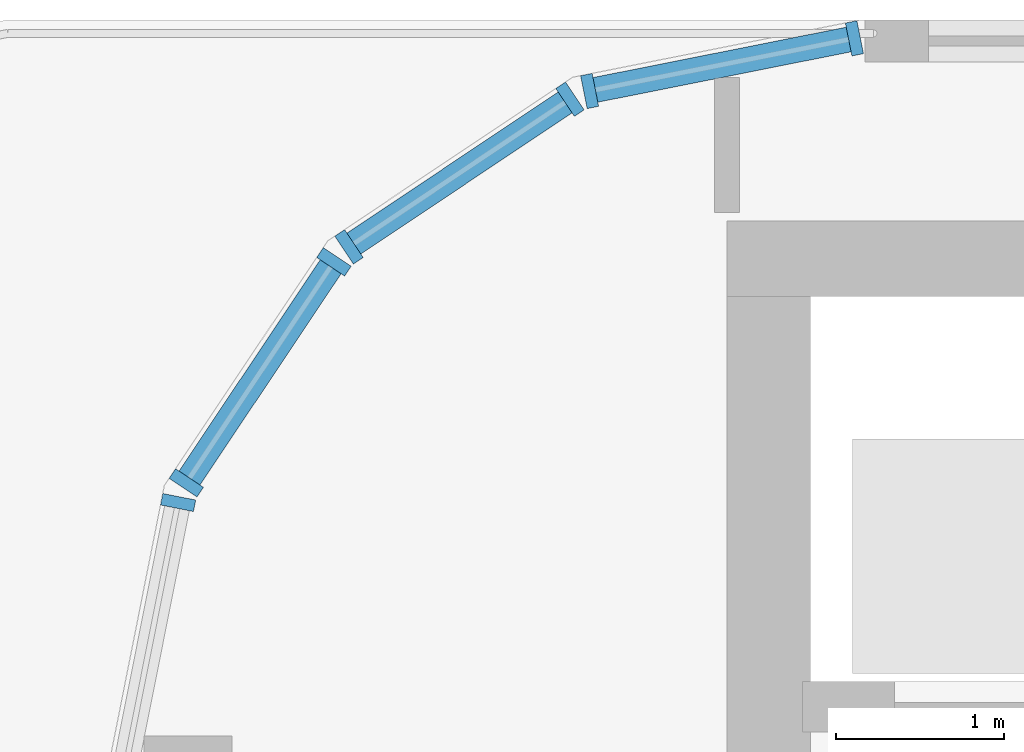
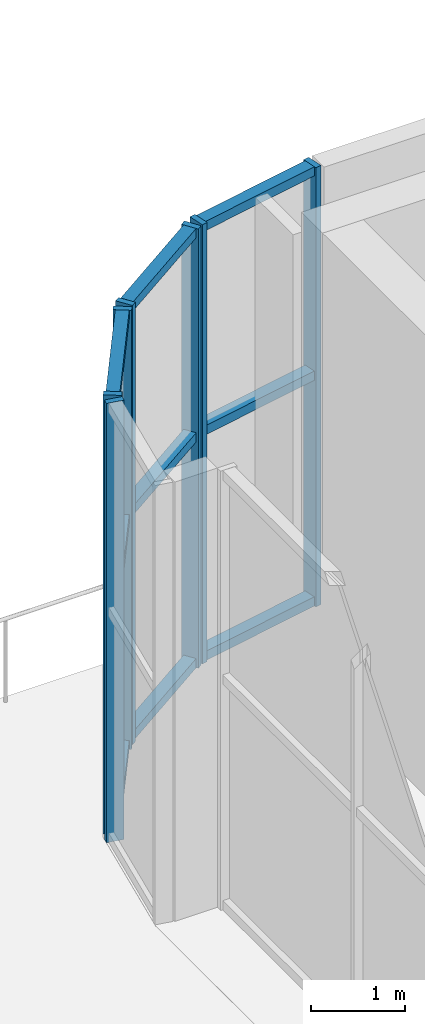
# One storey, part 9 of 25: 16 members, 4 elements without a shape of their own.
"""IFC4 building model written with IfcOpenShell, lengths in metres."""

from ifc_helpers import new_model, si_unit, direction, frame, origin, origin_2d, place, context, subcontext, project, spatial, rectangle, extrude, material, layer, layer_set, material_profile, profile_set, type_object, element, aggregate, save


model = new_model("IFC4")

# Units and contexts
model_context = context("Model", 3, precision=1e-05, world=origin(), true_north=direction((0.0, 1.0)))
body_context = subcontext(model_context, "Body", "Model", "MODEL_VIEW")
ifc_project = project(units=[si_unit("LENGTHUNIT", "METRE"), si_unit("AREAUNIT", "SQUARE_METRE"), si_unit("VOLUMEUNIT", "CUBIC_METRE"), si_unit("PLANEANGLEUNIT", "RADIAN"), si_unit("MASSUNIT", "GRAM", prefix="KILO")], contexts=[model_context])

# Site, building, storey
site_placement = place(None, origin())
site = spatial("IfcSite", under=ifc_project, at=site_placement, CompositionType="ELEMENT")
building_placement = place(site_placement, origin())
building = spatial("IfcBuilding", under=site, at=building_placement, Name="Torana Hotel and Residences", CompositionType="ELEMENT")
storey_placement = place(building_placement, frame((0.0, 0.0, 106.800048828125)))
storey = spatial("IfcBuildingStorey", under=building, at=storey_placement, Name="L27", CompositionType="ELEMENT", Elevation=106.800048828125)

# Curtain wall, members
ifc_material_1 = material(Name="Dark anodised aluminium", Category="aluminium")
ifc_layer = layer(ifc_material_1, 0.199951171875)
ifc_layer_set = layer_set([ifc_layer], Name="CW2 SKY LOBBY UNITISED CURTAIN WALL")
curtain_wall_type = type_object("IfcCurtainWallType", Name="CW2 SKY LOBBY UNITISED CURTAIN WALL", PredefinedType="NOTDEFINED", material=ifc_layer_set)
curtain_wall_1_placement = place(storey_placement, origin())
curtain_wall_1 = element("IfcCurtainWall", 1, at=curtain_wall_1_placement, inside=storey, type_object=curtain_wall_type, Name="Curtain wall CW2 L27 e0.5-1", PredefinedType="NOTDEFINED")
ifc_material_2 = material(Name="Dark anodised aluminium", Category="aluminium")
ifc_material_profile_1 = material_profile(ifc_material_2, rectangle(XDim=0.199951171875, YDim=0.070068359375, at=origin_2d()), Name="CW2 MULLION 70x200")
ifc_profile_set_1 = profile_set([ifc_material_profile_1], Name="Dark anodised aluminium")
member_type_1 = type_object("IfcMemberType", Name="CW2 MULLION 70x200", PredefinedType="MULLION", material=ifc_profile_set_1)
member_1_placement = place(storey_placement, frame((-23.739013671875, 1.09033203125, 0.0), z_axis=(0.0, 0.0, 1.0), x_axis=(0.195063848566, -0.980790545928, 0.0)))
member_1 = element("IfcMember", 2, at=member_1_placement, type_object=member_type_1, Name="CW2 mullion 1", PredefinedType="MULLION", context=body_context, shape_type="SweptSolid", body=[
    extrude(rectangle(XDim=0.199951171875, YDim=0.070068359375, at=origin_2d()), origin(), (0.0, 0.0, 1.0), 5.719970703125),
])
member_2_placement = place(storey_placement, frame((-25.319580078125, 0.77587890625, 0.0), z_axis=(0.0, 0.0, 1.0), x_axis=(0.195063848566, -0.980790545928, 0.0)))
member_2 = element("IfcMember", 3, at=member_2_placement, type_object=member_type_1, Name="CW2 mullion 2", PredefinedType="MULLION", context=body_context, shape_type="SweptSolid", body=[
    extrude(rectangle(XDim=0.199951171875, YDim=0.070068359375, at=origin_2d()), origin(), (0.0, 0.0, 1.0), 5.719970703125),
])

curtain_wall_2_placement = place(storey_placement, origin())
curtain_wall_2 = element("IfcCurtainWall", 4, at=curtain_wall_2_placement, inside=storey, type_object=curtain_wall_type, Name="Curtain wall CW2 L27 e0.6-1", PredefinedType="NOTDEFINED")
member_3_placement = place(storey_placement, frame((-25.43701171875, 0.727294921875, 0.0), z_axis=(0.0, 0.0, 1.0), x_axis=(0.555563713278, -0.831473968618, 0.0)))
member_3 = element("IfcMember", 5, at=member_3_placement, type_object=member_type_1, Name="CW2 mullion 1", PredefinedType="MULLION", context=body_context, shape_type="SweptSolid", body=[
    extrude(rectangle(XDim=0.199951171875, YDim=0.070068359375, at=origin_2d()), origin(), (0.0, 0.0, 1.0), 5.719970703125),
])
member_4_placement = place(storey_placement, frame((-26.756103515625, -0.154052734375, 0.0), z_axis=(0.0, 0.0, 1.0), x_axis=(0.555563713278, -0.831473968618, 0.0)))
member_4 = element("IfcMember", 6, at=member_4_placement, type_object=member_type_1, Name="CW2 mullion 2", PredefinedType="MULLION", context=body_context, shape_type="SweptSolid", body=[
    extrude(rectangle(XDim=0.199951171875, YDim=0.070068359375, at=origin_2d()), origin(), (0.0, 0.0, 1.0), 5.719970703125),
])

curtain_wall_3_placement = place(storey_placement, origin())
curtain_wall_3 = element("IfcCurtainWall", 7, at=curtain_wall_3_placement, inside=storey, type_object=curtain_wall_type, Name="Curtain wall CW2 L27 e0.7-1", PredefinedType="NOTDEFINED")
member_5_placement = place(storey_placement, frame((-26.845947265625, -0.243896484375, 0.0), z_axis=(0.0, 0.0, 1.0), x_axis=(0.831473968618, -0.555563713278, 0.0)))
member_5 = element("IfcMember", 8, at=member_5_placement, type_object=member_type_1, Name="CW2 mullion 1", PredefinedType="MULLION", context=body_context, shape_type="SweptSolid", body=[
    extrude(rectangle(XDim=0.199951171875, YDim=0.070068359375, at=origin_2d()), origin(), (0.0, 0.0, 1.0), 5.719970703125),
])
member_6_placement = place(storey_placement, frame((-27.727294921875, -1.56298828125, 0.0), z_axis=(0.0, 0.0, 1.0), x_axis=(0.831473968618, -0.555563713278, 0.0)))
member_6 = element("IfcMember", 9, at=member_6_placement, type_object=member_type_1, Name="CW2 mullion 2", PredefinedType="MULLION", context=body_context, shape_type="SweptSolid", body=[
    extrude(rectangle(XDim=0.199951171875, YDim=0.070068359375, at=origin_2d()), origin(), (0.0, 0.0, 1.0), 5.719970703125),
])

# Curtain wall, member
curtain_wall_4_placement = place(storey_placement, origin())
curtain_wall_4 = element("IfcCurtainWall", 10, at=curtain_wall_4_placement, inside=storey, type_object=curtain_wall_type, Name="Curtain wall CW2 L27 e0.8-1", PredefinedType="NOTDEFINED")
member_7_placement = place(storey_placement, frame((-27.77587890625, -1.680419921875, 0.0), z_axis=(0.0, 0.0, 1.0), x_axis=(0.980790545928, -0.195063848566, 0.0)))
member_7 = element("IfcMember", 11, at=member_7_placement, type_object=member_type_1, Name="CW2 mullion 1", PredefinedType="MULLION", context=body_context, shape_type="SweptSolid", body=[
    extrude(rectangle(XDim=0.199951171875, YDim=0.070068359375, at=origin_2d()), origin(), (0.0, 0.0, 1.0), 5.719970703125),
])
aggregate(curtain_wall_4, [member_7])

# Member
ifc_material_3 = material(Name="Dark anodised aluminium", Category="aluminium")
ifc_material_profile_2 = material_profile(ifc_material_3, rectangle(XDim=0.14990234375, YDim=0.1201171875, at=origin_2d()), Name="CW2 TRANSOM 150x120")
ifc_profile_set_2 = profile_set([ifc_material_profile_2], Name="Dark anodised aluminium")
member_type_2 = type_object("IfcMemberType", Name="CW2 TRANSOM 150x120", PredefinedType="USERDEFINED", material=ifc_profile_set_2)
member_8_placement = place(storey_placement, frame((-23.773193359375, 1.08349609375, 0.06005859375), z_axis=(-0.980781167848, -0.19511099609, 0.0), x_axis=(0.19511099609, -0.980781167848, 0.0)))
member_8 = element("IfcMember", 12, at=member_8_placement, type_object=member_type_2, Name="CW2 transom 1.1", ObjectType="TRANSOM", PredefinedType="USERDEFINED", context=body_context, shape_type="SweptSolid", body=[
    extrude(rectangle(XDim=0.14990234375, YDim=0.1201171875, at=origin_2d()), origin(), (0.0, 0.0, 1.0), 1.54150390625),
])

member_9_placement = place(storey_placement, frame((-23.773193359375, 1.08349609375, 3.0), z_axis=(-0.980781167848, -0.19511099609, 0.0), x_axis=(0.19511099609, -0.980781167848, 0.0)))
member_9 = element("IfcMember", 13, at=member_9_placement, type_object=member_type_2, Name="CW2 transom 1.2", ObjectType="TRANSOM", PredefinedType="USERDEFINED", context=body_context, shape_type="SweptSolid", body=[
    extrude(rectangle(XDim=0.14990234375, YDim=0.1201171875, at=origin_2d()), origin(), (0.0, 0.0, 1.0), 1.54150390625),
])

member_10_placement = place(storey_placement, frame((-23.773193359375, 1.08349609375, 5.659912109375), z_axis=(-0.980781167848, -0.19511099609, 0.0), x_axis=(0.19511099609, -0.980781167848, 0.0)))
member_10 = element("IfcMember", 14, at=member_10_placement, type_object=member_type_2, Name="CW2 transom 1.3", ObjectType="TRANSOM", PredefinedType="USERDEFINED", context=body_context, shape_type="SweptSolid", body=[
    extrude(rectangle(XDim=0.14990234375, YDim=0.1201171875, at=origin_2d()), origin(), (0.0, 0.0, 1.0), 1.54150390625),
])

aggregate(curtain_wall_1, [member_1, member_2, member_8, member_9, member_10])

member_11_placement = place(storey_placement, frame((-25.466064453125, 0.707763671875, 0.06005859375), z_axis=(-0.83150490354, -0.555517412319, 0.0), x_axis=(0.555517412319, -0.83150490354, 0.0)))
member_11 = element("IfcMember", 15, at=member_11_placement, type_object=member_type_2, Name="CW2 transom 1.1", ObjectType="TRANSOM", PredefinedType="USERDEFINED", context=body_context, shape_type="SweptSolid", body=[
    extrude(rectangle(XDim=0.14990234375, YDim=0.1201171875, at=origin_2d()), origin(), (0.0, 0.0, 1.0), 1.51611328125),
])

member_12_placement = place(storey_placement, frame((-25.466064453125, 0.707763671875, 3.0), z_axis=(-0.83150490354, -0.555517412319, 0.0), x_axis=(0.555517412319, -0.83150490354, 0.0)))
member_12 = element("IfcMember", 16, at=member_12_placement, type_object=member_type_2, Name="CW2 transom 1.2", ObjectType="TRANSOM", PredefinedType="USERDEFINED", context=body_context, shape_type="SweptSolid", body=[
    extrude(rectangle(XDim=0.14990234375, YDim=0.1201171875, at=origin_2d()), origin(), (0.0, 0.0, 1.0), 1.51611328125),
])

member_13_placement = place(storey_placement, frame((-25.466064453125, 0.707763671875, 5.659912109375), z_axis=(-0.83150490354, -0.555517412319, 0.0), x_axis=(0.555517412319, -0.83150490354, 0.0)))
member_13 = element("IfcMember", 17, at=member_13_placement, type_object=member_type_2, Name="CW2 transom 1.3", ObjectType="TRANSOM", PredefinedType="USERDEFINED", context=body_context, shape_type="SweptSolid", body=[
    extrude(rectangle(XDim=0.14990234375, YDim=0.1201171875, at=origin_2d()), origin(), (0.0, 0.0, 1.0), 1.51611328125),
])

aggregate(curtain_wall_2, [member_3, member_4, member_11, member_12, member_13])

member_14_placement = place(storey_placement, frame((-26.865478515625, -0.273193359375, 0.06005859375), z_axis=(-0.555517412319, -0.83150490354, 0.0), x_axis=(0.83150490354, -0.555517412319, 0.0)))
member_14 = element("IfcMember", 18, at=member_14_placement, type_object=member_type_2, Name="CW2 transom 1.1", ObjectType="TRANSOM", PredefinedType="USERDEFINED", context=body_context, shape_type="SweptSolid", body=[
    extrude(rectangle(XDim=0.14990234375, YDim=0.1201171875, at=origin_2d()), origin(), (0.0, 0.0, 1.0), 1.51611328125),
])

member_15_placement = place(storey_placement, frame((-26.865478515625, -0.273193359375, 3.0), z_axis=(-0.555517412319, -0.83150490354, 0.0), x_axis=(0.83150490354, -0.555517412319, 0.0)))
member_15 = element("IfcMember", 19, at=member_15_placement, type_object=member_type_2, Name="CW2 transom 1.2", ObjectType="TRANSOM", PredefinedType="USERDEFINED", context=body_context, shape_type="SweptSolid", body=[
    extrude(rectangle(XDim=0.14990234375, YDim=0.1201171875, at=origin_2d()), origin(), (0.0, 0.0, 1.0), 1.51611328125),
])

member_16_placement = place(storey_placement, frame((-26.865478515625, -0.273193359375, 5.659912109375), z_axis=(-0.555517412319, -0.83150490354, 0.0), x_axis=(0.83150490354, -0.555517412319, 0.0)))
member_16 = element("IfcMember", 20, at=member_16_placement, type_object=member_type_2, Name="CW2 transom 1.3", ObjectType="TRANSOM", PredefinedType="USERDEFINED", context=body_context, shape_type="SweptSolid", body=[
    extrude(rectangle(XDim=0.14990234375, YDim=0.1201171875, at=origin_2d()), origin(), (0.0, 0.0, 1.0), 1.51611328125),
])

aggregate(curtain_wall_3, [member_5, member_6, member_14, member_15, member_16])

save(model, "model.ifc")
